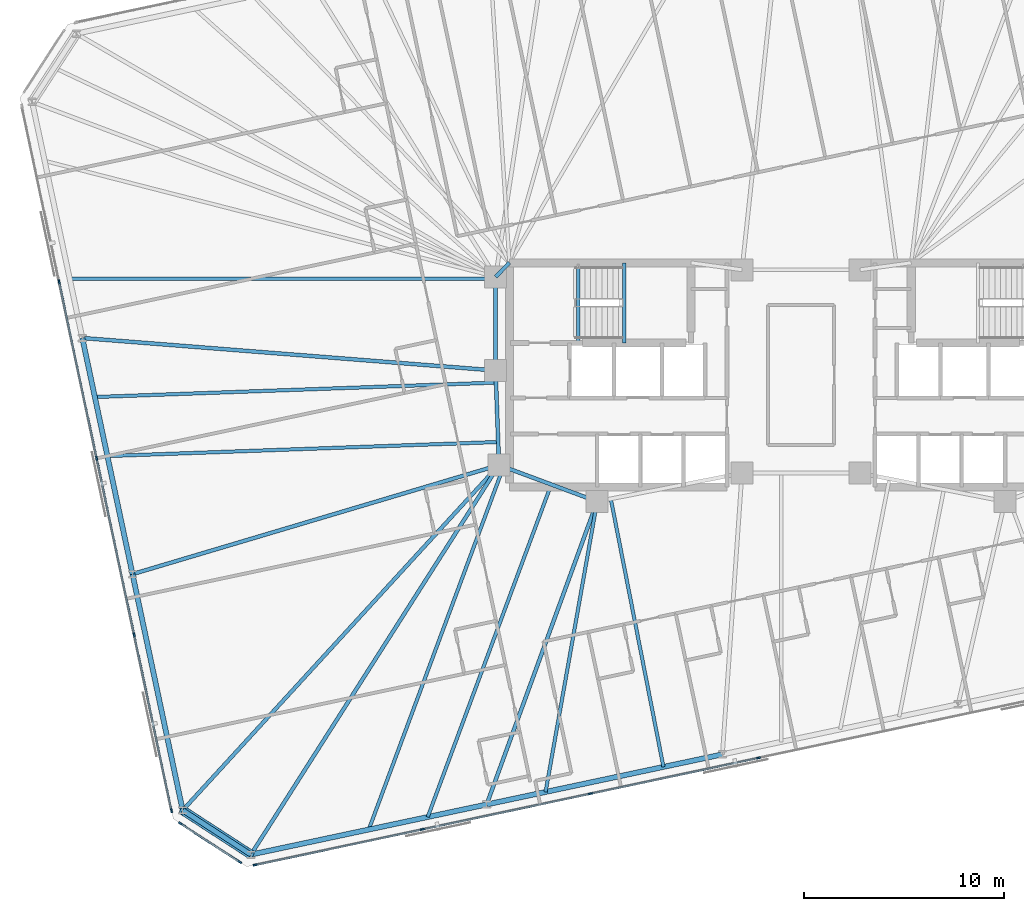
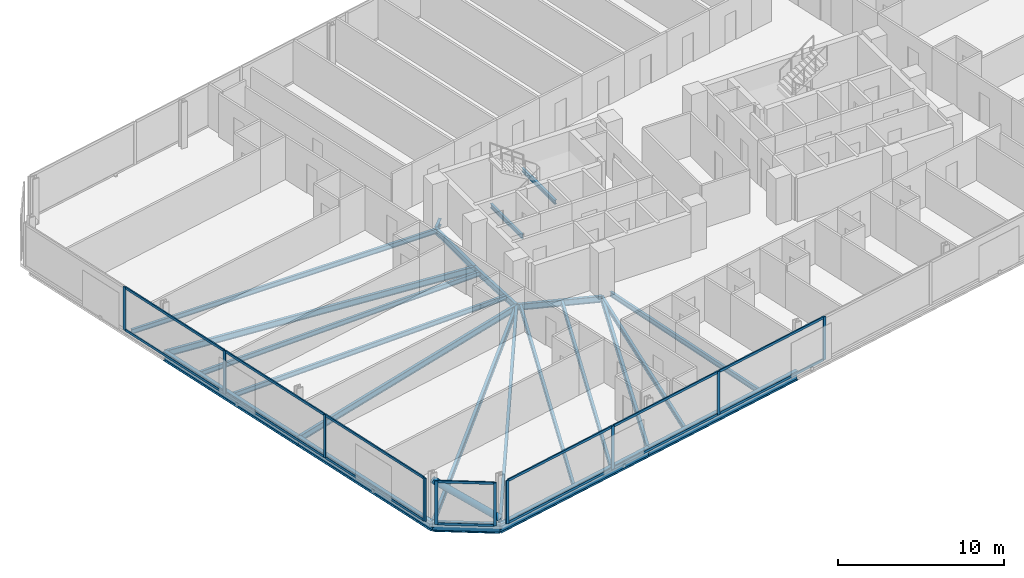
# One storey, part 6 of 21: 25 members, 23 beams, 3 elements without a shape of their own.
"""IFC4 building model written with IfcOpenShell, lengths in metres."""

from ifc_helpers import new_model, si_unit, direction, frame, origin, origin_2d, place, context, subcontext, project, spatial, rectangle, hollow_circle, i_section, extrude, material, material_profile, profile_set, type_object, element, aggregate, save


model = new_model("IFC4")

# Units and contexts
model_context = context("Model", 3, precision=1e-05, world=origin(), true_north=direction((0.0, 1.0)))
body_context = subcontext(model_context, "Body", "Model", "MODEL_VIEW")
ifc_project = project(units=[si_unit("LENGTHUNIT", "METRE"), si_unit("AREAUNIT", "SQUARE_METRE"), si_unit("VOLUMEUNIT", "CUBIC_METRE"), si_unit("PLANEANGLEUNIT", "RADIAN"), si_unit("MASSUNIT", "GRAM", prefix="KILO")], contexts=[model_context])

# Site, building, storey
site_placement = place(None, origin())
site = spatial("IfcSite", under=ifc_project, at=site_placement, CompositionType="ELEMENT")
building_placement = place(site_placement, origin())
building = spatial("IfcBuilding", under=site, at=building_placement, Name="Menara Jurai Vektor", CompositionType="ELEMENT")
storey_placement = place(building_placement, frame((0.0, 0.0, 168.39990234375)))
storey = spatial("IfcBuildingStorey", under=building, at=storey_placement, Name="L43", CompositionType="ELEMENT", Elevation=168.39990234375)

# Curtain wall, members
ifc_material_1 = material(Name="Anodised Pale Aluminium & Low-E Double Glazing", Category="aluminium")
curtain_wall_type = type_object("IfcCurtainWallType", Name="CW-BLK3", PredefinedType="NOTDEFINED", material=ifc_material_1)
curtain_wall_1_placement = place(storey_placement, origin())
curtain_wall_1 = element("IfcCurtainWall", 1, at=curtain_wall_1_placement, inside=storey, type_object=curtain_wall_type, Name="Unitised Curtain Wall L43 F01", PredefinedType="NOTDEFINED")
ifc_material_2 = material(Name="Anodised Pale Aluminium Mullion", Category="aluminium")
ifc_material_profile_1 = material_profile(ifc_material_2, rectangle(XDim=0.0849609375, YDim=0.205078125, at=origin_2d()), Name="ALU MUL 85x205")
ifc_profile_set_1 = profile_set([ifc_material_profile_1], Name="Anodised Pale Aluminium Mullion")
member_type_1 = type_object("IfcMemberType", Name="CW-BLK3-MUL", PredefinedType="MULLION", material=ifc_profile_set_1)
member_1_placement = place(storey_placement, frame((-27.25244140625, -24.462890625, 0.0), z_axis=(0.0, 0.0, 1.0), x_axis=(-0.207911344156, 0.978147674419, 0.0)))
member_1 = element("IfcMember", 2, at=member_1_placement, type_object=member_type_1, Name="CW-03 mullion 1", PredefinedType="MULLION", context=body_context, shape_type="SweptSolid", body=[
    extrude(rectangle(XDim=0.0849609375, YDim=0.205078125, at=origin_2d()), origin(), (0.0, 0.0, 1.0), 3.175048828125),
])
member_2_placement = place(storey_placement, frame((-18.904296875, -22.6884765625, 0.0), z_axis=(0.0, 0.0, 1.0), x_axis=(-0.207911344156, 0.978147674419, 0.0)))
member_2 = element("IfcMember", 3, at=member_2_placement, type_object=member_type_1, Name="CW-03 mullion 2", PredefinedType="MULLION", context=body_context, shape_type="SweptSolid", body=[
    extrude(rectangle(XDim=0.0849609375, YDim=0.205078125, at=origin_2d()), origin(), (0.0, 0.0, 1.0), 3.175048828125),
])
member_3_placement = place(storey_placement, frame((-10.514404296875, -20.905029296875, 0.0), z_axis=(0.0, 0.0, 1.0), x_axis=(-0.207911344156, 0.978147674419, 0.0)))
member_3 = element("IfcMember", 4, at=member_3_placement, type_object=member_type_1, Name="CW-03 mullion 3", PredefinedType="MULLION", context=body_context, shape_type="SweptSolid", body=[
    extrude(rectangle(XDim=0.0849609375, YDim=0.205078125, at=origin_2d()), origin(), (0.0, 0.0, 1.0), 3.175048828125),
])
member_4_placement = place(storey_placement, frame((-2.124755859375, -19.121826171875, 0.0), z_axis=(0.0, 0.0, 1.0), x_axis=(-0.207911344156, 0.978147674419, 0.0)))
member_4 = element("IfcMember", 5, at=member_4_placement, type_object=member_type_1, Name="CW-03 mullion 4", PredefinedType="MULLION", context=body_context, shape_type="SweptSolid", body=[
    extrude(rectangle(XDim=0.0849609375, YDim=0.205078125, at=origin_2d()), origin(), (0.0, 0.0, 1.0), 3.175048828125),
])

curtain_wall_2_placement = place(storey_placement, origin())
curtain_wall_2 = element("IfcCurtainWall", 6, at=curtain_wall_2_placement, inside=storey, type_object=curtain_wall_type, Name="Unitised Curtain Wall L43 F07", PredefinedType="NOTDEFINED")
member_5_placement = place(storey_placement, frame((-37.041259765625, 4.648193359375, 0.0), z_axis=(0.0, 0.0, 1.0), x_axis=(0.978147883949, 0.20791035839, 0.0)))
member_5 = element("IfcMember", 7, at=member_5_placement, type_object=member_type_1, Name="CW-03 mullion 2", PredefinedType="MULLION", context=body_context, shape_type="SweptSolid", body=[
    extrude(rectangle(XDim=0.0849609375, YDim=0.205078125, at=origin_2d()), origin(), (0.0, 0.0, 1.0), 3.175048828125),
])
member_6_placement = place(storey_placement, frame((-35.16796875, -4.1650390625, 0.0), z_axis=(0.0, 0.0, 1.0), x_axis=(0.978147883949, 0.20791035839, 0.0)))
member_6 = element("IfcMember", 8, at=member_6_placement, type_object=member_type_1, Name="CW-03 mullion 3", PredefinedType="MULLION", context=body_context, shape_type="SweptSolid", body=[
    extrude(rectangle(XDim=0.0849609375, YDim=0.205078125, at=origin_2d()), origin(), (0.0, 0.0, 1.0), 3.175048828125),
])
member_7_placement = place(storey_placement, frame((-33.294677734375, -12.978271484375, 0.0), z_axis=(0.0, 0.0, 1.0), x_axis=(0.978147883949, 0.20791035839, 0.0)))
member_7 = element("IfcMember", 9, at=member_7_placement, type_object=member_type_1, Name="CW-03 mullion 4", PredefinedType="MULLION", context=body_context, shape_type="SweptSolid", body=[
    extrude(rectangle(XDim=0.0849609375, YDim=0.205078125, at=origin_2d()), origin(), (0.0, 0.0, 1.0), 3.175048828125),
])
member_8_placement = place(storey_placement, frame((-31.43017578125, -21.749755859375, 0.0), z_axis=(0.0, 0.0, 1.0), x_axis=(0.978147883949, 0.20791035839, 0.0)))
member_8 = element("IfcMember", 10, at=member_8_placement, type_object=member_type_1, Name="CW-03 mullion 5", PredefinedType="MULLION", context=body_context, shape_type="SweptSolid", body=[
    extrude(rectangle(XDim=0.0849609375, YDim=0.205078125, at=origin_2d()), origin(), (0.0, 0.0, 1.0), 3.175048828125),
])

curtain_wall_3_placement = place(storey_placement, origin())
curtain_wall_3 = element("IfcCurtainWall", 11, at=curtain_wall_3_placement, inside=storey, type_object=curtain_wall_type, Name="Unitised Curtain Wall L43 F08", PredefinedType="NOTDEFINED")
member_9_placement = place(storey_placement, frame((-30.988037109375, -22.39306640625, 0.0), z_axis=(0.0, 0.0, 1.0), x_axis=(0.544617794346, 0.838684361415, 0.0)))
member_9 = element("IfcMember", 12, at=member_9_placement, type_object=member_type_1, Name="CW-03 mullion 1", PredefinedType="MULLION", context=body_context, shape_type="SweptSolid", body=[
    extrude(rectangle(XDim=0.0849609375, YDim=0.205078125, at=origin_2d()), origin(), (0.0, 0.0, 1.0), 3.175048828125),
])
member_10_placement = place(storey_placement, frame((-28.02001953125, -24.320556640625, 0.0), z_axis=(0.0, 0.0, 1.0), x_axis=(0.544617794346, 0.838684361415, 0.0)))
member_10 = element("IfcMember", 13, at=member_10_placement, type_object=member_type_1, Name="CW-03 mullion 2", PredefinedType="MULLION", context=body_context, shape_type="SweptSolid", body=[
    extrude(rectangle(XDim=0.0849609375, YDim=0.205078125, at=origin_2d()), origin(), (0.0, 0.0, 1.0), 3.175048828125),
])

# Member
ifc_material_3 = material(Name="Anodised Pale Aluminium Transom", Category="aluminium")
ifc_material_profile_2 = material_profile(ifc_material_3, rectangle(XDim=0.0849609375, YDim=0.175048828125, at=origin_2d()), Name="ALU TRN 85x175")
ifc_profile_set_2 = profile_set([ifc_material_profile_2], Name="Anodised Pale Aluminium Transom")
member_type_2 = type_object("IfcMemberType", Name="CW-BLK3-TRN", PredefinedType="USERDEFINED", material=ifc_profile_set_2)
member_11_placement = place(storey_placement, frame((-27.210693359375, -24.4541015625, 0.04248046875), z_axis=(0.978145704369, 0.207920612313, 0.0), x_axis=(-0.207920612313, 0.978145704369, 0.0)))
member_11 = element("IfcMember", 14, at=member_11_placement, type_object=member_type_2, Name="CW-03 transom 1.1", ObjectType="TRANSOM", PredefinedType="USERDEFINED", context=body_context, shape_type="SweptSolid", body=[
    extrude(rectangle(XDim=0.0849609375, YDim=0.175048828125, at=origin_2d()), origin(), (0.0, 0.0, 1.0), 8.449462890625),
])

member_12_placement = place(storey_placement, frame((-27.210693359375, -24.4541015625, 3.132568359375), z_axis=(0.978145704369, 0.207920612313, 0.0), x_axis=(-0.207920612313, 0.978145704369, 0.0)))
member_12 = element("IfcMember", 15, at=member_12_placement, type_object=member_type_2, Name="CW-03 transom 1.2", ObjectType="TRANSOM", PredefinedType="USERDEFINED", context=body_context, shape_type="SweptSolid", body=[
    extrude(rectangle(XDim=0.0849609375, YDim=0.175048828125, at=origin_2d()), origin(), (0.0, 0.0, 1.0), 8.449462890625),
])

member_13_placement = place(storey_placement, frame((-18.862548828125, -22.6796875, 0.04248046875), z_axis=(0.978146500933, 0.207916864907, 0.0), x_axis=(-0.207916864907, 0.978146500933, 0.0)))
member_13 = element("IfcMember", 16, at=member_13_placement, type_object=member_type_2, Name="CW-03 transom 2.1", ObjectType="TRANSOM", PredefinedType="USERDEFINED", context=body_context, shape_type="SweptSolid", body=[
    extrude(rectangle(XDim=0.0849609375, YDim=0.175048828125, at=origin_2d()), origin(), (0.0, 0.0, 1.0), 8.491943359375),
])

member_14_placement = place(storey_placement, frame((-18.862548828125, -22.6796875, 3.132568359375), z_axis=(0.978146500933, 0.207916864907, 0.0), x_axis=(-0.207916864907, 0.978146500933, 0.0)))
member_14 = element("IfcMember", 17, at=member_14_placement, type_object=member_type_2, Name="CW-03 transom 2.2", ObjectType="TRANSOM", PredefinedType="USERDEFINED", context=body_context, shape_type="SweptSolid", body=[
    extrude(rectangle(XDim=0.0849609375, YDim=0.175048828125, at=origin_2d()), origin(), (0.0, 0.0, 1.0), 8.491943359375),
])

member_15_placement = place(storey_placement, frame((-10.472900390625, -20.896240234375, 0.04248046875), z_axis=(0.978147743708, 0.207911018178, 0.0), x_axis=(-0.207911018178, 0.978147743708, 0.0)))
member_15 = element("IfcMember", 18, at=member_15_placement, type_object=member_type_2, Name="CW-03 transom 3.1", ObjectType="TRANSOM", PredefinedType="USERDEFINED", context=body_context, shape_type="SweptSolid", body=[
    extrude(rectangle(XDim=0.0849609375, YDim=0.175048828125, at=origin_2d()), origin(), (0.0, 0.0, 1.0), 8.4921875),
])

member_16_placement = place(storey_placement, frame((-10.472900390625, -20.896240234375, 3.132568359375), z_axis=(0.978147743708, 0.207911018178, 0.0), x_axis=(-0.207911018178, 0.978147743708, 0.0)))
member_16 = element("IfcMember", 19, at=member_16_placement, type_object=member_type_2, Name="CW-03 transom 3.2", ObjectType="TRANSOM", PredefinedType="USERDEFINED", context=body_context, shape_type="SweptSolid", body=[
    extrude(rectangle(XDim=0.0849609375, YDim=0.175048828125, at=origin_2d()), origin(), (0.0, 0.0, 1.0), 8.4921875),
])

aggregate(curtain_wall_1, [member_1, member_2, member_3, member_4, member_11, member_12, member_13, member_14, member_15, member_16])

member_17_placement = place(storey_placement, frame((-37.032470703125, 4.6064453125, 0.04248046875), z_axis=(0.207922224243, -0.978145361726, 0.0), x_axis=(0.978145361726, 0.207922224243, 0.0)))
member_17 = element("IfcMember", 20, at=member_17_placement, type_object=member_type_2, Name="CW-03 transom 2.1", ObjectType="TRANSOM", PredefinedType="USERDEFINED", context=body_context, shape_type="SweptSolid", body=[
    extrude(rectangle(XDim=0.0849609375, YDim=0.175048828125, at=origin_2d()), origin(), (0.0, 0.0, 1.0), 8.925048828125),
])

member_18_placement = place(storey_placement, frame((-37.032470703125, 4.6064453125, 3.132568359375), z_axis=(0.207922224243, -0.978145361726, 0.0), x_axis=(0.978145361726, 0.207922224243, 0.0)))
member_18 = element("IfcMember", 21, at=member_18_placement, type_object=member_type_2, Name="CW-03 transom 2.2", ObjectType="TRANSOM", PredefinedType="USERDEFINED", context=body_context, shape_type="SweptSolid", body=[
    extrude(rectangle(XDim=0.0849609375, YDim=0.175048828125, at=origin_2d()), origin(), (0.0, 0.0, 1.0), 8.925048828125),
])

member_19_placement = place(storey_placement, frame((-35.1591796875, -4.20654296875, 0.04248046875), z_axis=(0.207922224243, -0.978145361726, 0.0), x_axis=(0.978145361726, 0.207922224243, 0.0)))
member_19 = element("IfcMember", 22, at=member_19_placement, type_object=member_type_2, Name="CW-03 transom 3.1", ObjectType="TRANSOM", PredefinedType="USERDEFINED", context=body_context, shape_type="SweptSolid", body=[
    extrude(rectangle(XDim=0.0849609375, YDim=0.175048828125, at=origin_2d()), origin(), (0.0, 0.0, 1.0), 8.925048828125),
])

member_20_placement = place(storey_placement, frame((-35.1591796875, -4.20654296875, 3.132568359375), z_axis=(0.207922224243, -0.978145361726, 0.0), x_axis=(0.978145361726, 0.207922224243, 0.0)))
member_20 = element("IfcMember", 23, at=member_20_placement, type_object=member_type_2, Name="CW-03 transom 3.2", ObjectType="TRANSOM", PredefinedType="USERDEFINED", context=body_context, shape_type="SweptSolid", body=[
    extrude(rectangle(XDim=0.0849609375, YDim=0.175048828125, at=origin_2d()), origin(), (0.0, 0.0, 1.0), 8.925048828125),
])

member_21_placement = place(storey_placement, frame((-33.285888671875, -13.019775390625, 0.04248046875), z_axis=(0.207925814542, -0.978144598537, 0.0), x_axis=(0.978144598537, 0.207925814542, 0.0)))
member_21 = element("IfcMember", 24, at=member_21_placement, type_object=member_type_2, Name="CW-03 transom 4.1", ObjectType="TRANSOM", PredefinedType="USERDEFINED", context=body_context, shape_type="SweptSolid", body=[
    extrude(rectangle(XDim=0.0849609375, YDim=0.175048828125, at=origin_2d()), origin(), (0.0, 0.0, 1.0), 8.882568359375),
])

member_22_placement = place(storey_placement, frame((-33.285888671875, -13.019775390625, 3.132568359375), z_axis=(0.207925814542, -0.978144598537, 0.0), x_axis=(0.978144598537, 0.207925814542, 0.0)))
member_22 = element("IfcMember", 25, at=member_22_placement, type_object=member_type_2, Name="CW-03 transom 4.2", ObjectType="TRANSOM", PredefinedType="USERDEFINED", context=body_context, shape_type="SweptSolid", body=[
    extrude(rectangle(XDim=0.0849609375, YDim=0.175048828125, at=origin_2d()), origin(), (0.0, 0.0, 1.0), 8.882568359375),
])

aggregate(curtain_wall_2, [member_5, member_6, member_7, member_8, member_17, member_18, member_19, member_20, member_21, member_22])

member_23_placement = place(storey_placement, frame((-30.952392578125, -22.416259765625, 0.04248046875), z_axis=(0.83867770631, -0.54462804274, 0.0), x_axis=(0.54462804274, 0.83867770631, 0.0)))
member_23 = element("IfcMember", 26, at=member_23_placement, type_object=member_type_2, Name="CW-03 transom 1.1", ObjectType="TRANSOM", PredefinedType="USERDEFINED", context=body_context, shape_type="SweptSolid", body=[
    extrude(rectangle(XDim=0.0849609375, YDim=0.175048828125, at=origin_2d()), origin(), (0.0, 0.0, 1.0), 3.453857421875),
])

member_24_placement = place(storey_placement, frame((-30.952392578125, -22.416259765625, 3.132568359375), z_axis=(0.83867770631, -0.54462804274, 0.0), x_axis=(0.54462804274, 0.83867770631, 0.0)))
member_24 = element("IfcMember", 27, at=member_24_placement, type_object=member_type_2, Name="CW-03 transom 1.2", ObjectType="TRANSOM", PredefinedType="USERDEFINED", context=body_context, shape_type="SweptSolid", body=[
    extrude(rectangle(XDim=0.0849609375, YDim=0.175048828125, at=origin_2d()), origin(), (0.0, 0.0, 1.0), 3.453857421875),
])

aggregate(curtain_wall_3, [member_9, member_10, member_23, member_24])

# Beams
ifc_material_4 = material(Name="Steel S355", Category="steel")
ifc_material_profile_3 = material_profile(ifc_material_4, i_section(OverallWidth=0.19091796875, OverallDepth=0.4599609375, WebThickness=0.010009765625, FlangeThickness=0.01611328125, FilletRadius=0.010009765625, at=origin_2d()), Name="UKB 457x191x82")
ifc_profile_set_3 = profile_set([ifc_material_profile_3], Name="Steel S355")
beam_type_1 = type_object("IfcBeamType", Name="STR-BM-457", PredefinedType="BEAM", material=ifc_profile_set_3)
beam_1_placement = place(storey_placement, frame((-15.25, 4.89990234375, -0.454833984375), z_axis=(0.701871936926, 0.712303154672, 0.0), x_axis=(-0.712303154672, 0.701871936926, 0.0)))
element("IfcBeam", 28, at=beam_1_placement, inside=storey, type_object=beam_type_1, Name="Core Ring Header Girder L43-CHW-N1", PredefinedType="BEAM", context=body_context, shape_type="SweptSolid", body=[
    extrude(i_section(OverallWidth=0.19091796875, OverallDepth=0.4599609375, WebThickness=0.010009765625, FlangeThickness=0.01611328125, FilletRadius=0.010009765625, at=origin_2d()), origin(), (0.0, 0.0, 1.0), 0.98291015625),
])
beam_2_placement = place(storey_placement, frame((-15.25, 0.219970703125, -0.454833984375), z_axis=(0.0, 1.0, 0.0), x_axis=(-1.0, 0.0, 0.0)))
element("IfcBeam", 29, at=beam_2_placement, inside=storey, type_object=beam_type_1, Name="Core Ring Header Girder L43-CHW-W1", PredefinedType="BEAM", context=body_context, shape_type="SweptSolid", body=[
    extrude(i_section(OverallWidth=0.19091796875, OverallDepth=0.4599609375, WebThickness=0.010009765625, FlangeThickness=0.01611328125, FilletRadius=0.010009765625, at=origin_2d()), origin(), (0.0, 0.0, 1.0), 4.679931640625),
])
beam_3_placement = place(storey_placement, frame((-15.080078125, -4.5, -0.454833984375), z_axis=(-0.035977314146, 0.999352606874, 0.0), x_axis=(-0.999352606874, -0.035977314146, 0.0)))
element("IfcBeam", 30, at=beam_3_placement, inside=storey, type_object=beam_type_1, Name="Core Ring Header Girder L43-CHW-W2", PredefinedType="BEAM", context=body_context, shape_type="SweptSolid", body=[
    extrude(i_section(OverallWidth=0.19091796875, OverallDepth=0.4599609375, WebThickness=0.010009765625, FlangeThickness=0.01611328125, FilletRadius=0.010009765625, at=origin_2d()), origin(), (0.0, 0.0, 1.0), 4.72314453125),
])
beam_4_placement = place(storey_placement, frame((-15.080078125, -4.5, -0.454833984375), z_axis=(0.937424400887, -0.348188874925, 0.0), x_axis=(0.348188874925, 0.937424400887, 0.0)))
element("IfcBeam", 31, at=beam_4_placement, inside=storey, type_object=beam_type_1, Name="Core Ring Header Girder L43-CHW-S1", PredefinedType="BEAM", context=body_context, shape_type="SweptSolid", body=[
    extrude(i_section(OverallWidth=0.19091796875, OverallDepth=0.4599609375, WebThickness=0.010009765625, FlangeThickness=0.01611328125, FilletRadius=0.010009765625, at=origin_2d()), origin(), (0.0, 0.0, 1.0), 5.227294921875),
])
beam_5_placement = place(storey_placement, frame((-27.46484375, -23.94580078125, -0.454833984375), z_axis=(0.537189280991, 0.843461721946, 0.0), x_axis=(-0.843461721946, 0.537189280991, 0.0)))
element("IfcBeam", 32, at=beam_5_placement, inside=storey, type_object=beam_type_1, Name="Radial Floor Girder L43-S1", PredefinedType="BEAM", context=body_context, shape_type="SweptSolid", body=[
    extrude(i_section(OverallWidth=0.19091796875, OverallDepth=0.4599609375, WebThickness=0.010009765625, FlangeThickness=0.01611328125, FilletRadius=0.010009765625, at=origin_2d()), origin(), (0.0, 0.0, 1.0), 23.0546875),
])
beam_6_placement = place(storey_placement, frame((-15.696533203125, -21.4443359375, -0.454833984375), z_axis=(0.342668294367, 0.939456459893, 0.0), x_axis=(-0.939456459893, 0.342668294367, 0.0)))
element("IfcBeam", 33, at=beam_6_placement, inside=storey, type_object=beam_type_1, Name="Radial Floor Girder L43-S2", PredefinedType="BEAM", context=body_context, shape_type="SweptSolid", body=[
    extrude(i_section(OverallWidth=0.19091796875, OverallDepth=0.4599609375, WebThickness=0.010009765625, FlangeThickness=0.01611328125, FilletRadius=0.010009765625, at=origin_2d()), origin(), (0.0, 0.0, 1.0), 16.098876953125),
])
beam_7_placement = place(storey_placement, frame((-35.8828125, 1.843505859375, -0.454833984375), z_axis=(0.996918476483, -0.078444574364, 0.0), x_axis=(0.078444574364, 0.996918476483, 0.0)))
element("IfcBeam", 34, at=beam_7_placement, inside=storey, type_object=beam_type_1, Name="Radial Floor Girder L43-W2", PredefinedType="BEAM", context=body_context, shape_type="SweptSolid", body=[
    extrude(i_section(OverallWidth=0.19091796875, OverallDepth=0.4599609375, WebThickness=0.010009765625, FlangeThickness=0.01611328125, FilletRadius=0.010009765625, at=origin_2d()), origin(), (0.0, 0.0, 1.0), 20.696533203125),
])
beam_8_placement = place(storey_placement, frame((-33.377197265625, -9.94482421875, -0.454833984375), z_axis=(0.958462775407, 0.285217650505, 0.0), x_axis=(-0.285217650505, 0.958462775407, 0.0)))
element("IfcBeam", 35, at=beam_8_placement, inside=storey, type_object=beam_type_1, Name="Radial Floor Girder L43-W3", PredefinedType="BEAM", context=body_context, shape_type="SweptSolid", body=[
    extrude(i_section(OverallWidth=0.19091796875, OverallDepth=0.4599609375, WebThickness=0.010009765625, FlangeThickness=0.01611328125, FilletRadius=0.010009765625, at=origin_2d()), origin(), (0.0, 0.0, 1.0), 19.090087890625),
])
beam_9_placement = place(storey_placement, frame((-30.871337890625, -21.7333984375, -0.454833984375), z_axis=(0.675584615662, 0.737282460852, 0.0), x_axis=(-0.737282460852, 0.675584615662, 0.0)))
element("IfcBeam", 36, at=beam_9_placement, inside=storey, type_object=beam_type_1, Name="Radial Floor Girder L43-W4", PredefinedType="BEAM", context=body_context, shape_type="SweptSolid", body=[
    extrude(i_section(OverallWidth=0.19091796875, OverallDepth=0.4599609375, WebThickness=0.010009765625, FlangeThickness=0.01611328125, FilletRadius=0.010009765625, at=origin_2d()), origin(), (0.0, 0.0, 1.0), 23.374267578125),
])

# Member
ifc_material_5 = material(Name="Steel S460", Category="steel")
ifc_material_profile_4 = material_profile(ifc_material_5, hollow_circle(Radius=0.228515625, WallThickness=0.01611328125, at=origin_2d()), Name="CHS 457x16")
ifc_profile_set_4 = profile_set([ifc_material_profile_4], Name="Steel S460")
member_type_3 = type_object("IfcMemberType", Name="STR-BR-457", PredefinedType="BRACE", material=ifc_profile_set_4)
member_25_placement = place(storey_placement, frame((-27.46484375, -23.94580078125, 0.150146484375), z_axis=(-0.700402825662, 0.454887866849, 0.5500117366), x_axis=(-0.544673525608, -0.838648168484, 0.0)))
element("IfcMember", 37, at=member_25_placement, inside=storey, type_object=member_type_3, Name="Exoskeleton Corner Brace L43-4", PredefinedType="BRACE", context=body_context, shape_type="SweptSolid", body=[
    extrude(hollow_circle(Radius=0.228515625, WallThickness=0.01611328125, at=origin_2d()), origin(), (0.0, 0.0, 1.0), 4.863525390625),
])

# Beams
ifc_material_profile_5 = material_profile(ifc_material_4, i_section(OverallWidth=0.172119140625, OverallDepth=0.35498046875, WebThickness=0.007080078125, FlangeThickness=0.011962890625, FilletRadius=0.010009765625, at=origin_2d()), Name="UKB 356x171x51")
ifc_profile_set_5 = profile_set([ifc_material_profile_5], Name="Steel S355")
beam_type_2 = type_object("IfcBeamType", Name="STR-JS-356", PredefinedType="JOIST", material=ifc_profile_set_5)
beam_10_placement = place(storey_placement, frame((-21.580810546875, -22.695068359375, -0.40234375), z_axis=(0.348190019635, 0.937423975705, 0.0), x_axis=(-0.937423975705, 0.348190019635, 0.0)))
element("IfcBeam", 38, at=beam_10_placement, inside=storey, type_object=beam_type_2, Name="Radial Secondary Floor Joist L43-JS01", PredefinedType="JOIST", context=body_context, shape_type="SweptSolid", body=[
    extrude(i_section(OverallWidth=0.172119140625, OverallDepth=0.35498046875, WebThickness=0.007080078125, FlangeThickness=0.011962890625, FilletRadius=0.010009765625, at=origin_2d()), origin(), (0.0, 0.0, 1.0), 19.320068359375),
])
beam_11_placement = place(storey_placement, frame((-18.638671875, -22.069580078125, -0.40234375), z_axis=(0.348193798412, 0.937422572135, 0.0), x_axis=(-0.937422572135, 0.348193798412, 0.0)))
element("IfcBeam", 39, at=beam_11_placement, inside=storey, type_object=beam_type_2, Name="Radial Secondary Floor Joist L43-JS02", PredefinedType="JOIST", context=body_context, shape_type="SweptSolid", body=[
    extrude(i_section(OverallWidth=0.172119140625, OverallDepth=0.35498046875, WebThickness=0.007080078125, FlangeThickness=0.011962890625, FilletRadius=0.010009765625, at=origin_2d()), origin(), (0.0, 0.0, 1.0), 17.709228515625),
])
beam_12_placement = place(storey_placement, frame((-12.75439453125, -20.819091796875, -0.40234375), z_axis=(0.174826548521, 0.984599247375, 0.0), x_axis=(-0.984599247375, 0.174826548521, 0.0)))
element("IfcBeam", 40, at=beam_12_placement, inside=storey, type_object=beam_type_2, Name="Radial Secondary Floor Joist L43-JS03", PredefinedType="JOIST", context=body_context, shape_type="SweptSolid", body=[
    extrude(i_section(OverallWidth=0.172119140625, OverallDepth=0.35498046875, WebThickness=0.007080078125, FlangeThickness=0.011962890625, FilletRadius=0.010009765625, at=origin_2d()), origin(), (0.0, 0.0, 1.0), 14.725830078125),
])
beam_13_placement = place(storey_placement, frame((-6.870361328125, -19.568359375, -0.40234375), z_axis=(-0.19273083746, 0.981251662058, 0.0), x_axis=(-0.981251662058, -0.19273083746, 0.0)))
element("IfcBeam", 41, at=beam_13_placement, inside=storey, type_object=beam_type_2, Name="Radial Secondary Floor Joist L43-JS04", PredefinedType="JOIST", context=body_context, shape_type="SweptSolid", body=[
    extrude(i_section(OverallWidth=0.172119140625, OverallDepth=0.35498046875, WebThickness=0.007080078125, FlangeThickness=0.011962890625, FilletRadius=0.010009765625, at=origin_2d()), origin(), (0.0, 0.0, 1.0), 13.6376953125),
])
beam_14_placement = place(storey_placement, frame((-36.50927734375, 4.790771484375, -0.40234375), z_axis=(1.0, 0.0, 0.0), x_axis=(0.0, 1.0, 0.0)))
element("IfcBeam", 42, at=beam_14_placement, inside=storey, type_object=beam_type_2, Name="Radial Secondary Floor Joist L43-JS30", PredefinedType="JOIST", context=body_context, shape_type="SweptSolid", body=[
    extrude(i_section(OverallWidth=0.172119140625, OverallDepth=0.35498046875, WebThickness=0.007080078125, FlangeThickness=0.011962890625, FilletRadius=0.010009765625, at=origin_2d()), origin(), (0.0, 0.0, 1.0), 21.25927734375),
])
beam_15_placement = place(storey_placement, frame((-35.25634765625, -1.103515625, -0.40234375), z_axis=(0.999351866858, 0.035997863919, 0.0), x_axis=(-0.035997863919, 0.999351866858, 0.0)))
element("IfcBeam", 43, at=beam_15_placement, inside=storey, type_object=beam_type_2, Name="Radial Secondary Floor Joist L43-JS31", PredefinedType="JOIST", context=body_context, shape_type="SweptSolid", body=[
    extrude(i_section(OverallWidth=0.172119140625, OverallDepth=0.35498046875, WebThickness=0.007080078125, FlangeThickness=0.011962890625, FilletRadius=0.010009765625, at=origin_2d()), origin(), (0.0, 0.0, 1.0), 20.041015625),
])
beam_16_placement = place(storey_placement, frame((-34.6298828125, -4.05078125, -0.40234375), z_axis=(0.999352006705, 0.035993981369, 0.0), x_axis=(-0.035993981369, 0.999352006705, 0.0)))
element("IfcBeam", 44, at=beam_16_placement, inside=storey, type_object=beam_type_2, Name="Radial Secondary Floor Joist L43-JS32", PredefinedType="JOIST", context=body_context, shape_type="SweptSolid", body=[
    extrude(i_section(OverallWidth=0.172119140625, OverallDepth=0.35498046875, WebThickness=0.007080078125, FlangeThickness=0.011962890625, FilletRadius=0.010009765625, at=origin_2d()), origin(), (0.0, 0.0, 1.0), 19.52099609375),
])
ifc_material_profile_6 = material_profile(ifc_material_4, i_section(OverallWidth=0.1650390625, OverallDepth=0.302978515625, WebThickness=0.006103515625, FlangeThickness=0.010009765625, FilletRadius=0.009033203125, at=origin_2d()), Name="UKB 305x165x40")
ifc_profile_set_6 = profile_set([ifc_material_profile_6], Name="Steel S355")
beam_type_3 = type_object("IfcBeamType", Name="STR-LN-305", PredefinedType="LINTEL", material=ifc_profile_set_6)
beam_17_placement = place(storey_placement, frame((-11.1201171875, 1.60009765625, -0.37646484375), z_axis=(0.0, 1.0, 0.0), x_axis=(-1.0, 0.0, 0.0)))
element("IfcBeam", 45, at=beam_17_placement, inside=storey, type_object=beam_type_3, Name="Stair Well Floor Trimmer ST1 L43", PredefinedType="LINTEL", context=body_context, shape_type="SweptSolid", body=[
    extrude(i_section(OverallWidth=0.1650390625, OverallDepth=0.302978515625, WebThickness=0.006103515625, FlangeThickness=0.010009765625, FilletRadius=0.009033203125, at=origin_2d()), origin(), (0.0, 0.0, 1.0), 3.81982421875),
])
beam_18_placement = place(storey_placement, frame((-8.830078125, 1.60009765625, 1.3486328125), z_axis=(0.0, 1.0, 0.0), x_axis=(-1.0, 0.0, 0.0)))
element("IfcBeam", 46, at=beam_18_placement, inside=storey, type_object=beam_type_3, Name="Stair Half-Landing Nosing Trimmer ST1-1 L43", PredefinedType="LINTEL", context=body_context, shape_type="SweptSolid", body=[
    extrude(i_section(OverallWidth=0.1650390625, OverallDepth=0.302978515625, WebThickness=0.006103515625, FlangeThickness=0.010009765625, FilletRadius=0.009033203125, at=origin_2d()), origin(), (0.0, 0.0, 1.0), 4.0),
])
ifc_material_profile_7 = material_profile(ifc_material_5, i_section(OverallWidth=0.256103515625, OverallDepth=0.693115234375, WebThickness=0.013916015625, FlangeThickness=0.02392578125, FilletRadius=0.014892578125, at=origin_2d()), Name="UKB 686x254x170")
ifc_profile_set_7 = profile_set([ifc_material_profile_7], Name="Steel S460")
beam_type_4 = type_object("IfcBeamType", Name="STR-SP-686", PredefinedType="SPANDREL", material=ifc_profile_set_7)
beam_19_placement = place(storey_placement, frame((-27.46484375, -23.94580078125, -0.5712890625), z_axis=(0.978147039247, 0.207914332389, 0.0), x_axis=(-0.207914332389, 0.978147039247, 0.0)))
element("IfcBeam", 47, at=beam_19_placement, inside=storey, type_object=beam_type_4, Name="Exoskeleton Spandrel Beam L43-01", PredefinedType="SPANDREL", context=body_context, shape_type="SweptSolid", body=[
    extrude(i_section(OverallWidth=0.256103515625, OverallDepth=0.693115234375, WebThickness=0.013916015625, FlangeThickness=0.02392578125, FilletRadius=0.014892578125, at=origin_2d()), origin(), (0.0, 0.0, 1.0), 12.03125),
])
beam_20_placement = place(storey_placement, frame((-15.696533203125, -21.4443359375, -0.5712890625), z_axis=(0.97814616202, 0.207918459318, 0.0), x_axis=(-0.207918459318, 0.97814616202, 0.0)))
element("IfcBeam", 48, at=beam_20_placement, inside=storey, type_object=beam_type_4, Name="Exoskeleton Spandrel Beam L43-02", PredefinedType="SPANDREL", context=body_context, shape_type="SweptSolid", body=[
    extrude(i_section(OverallWidth=0.256103515625, OverallDepth=0.693115234375, WebThickness=0.013916015625, FlangeThickness=0.02392578125, FilletRadius=0.014892578125, at=origin_2d()), origin(), (0.0, 0.0, 1.0), 12.031005859375),
])
beam_21_placement = place(storey_placement, frame((-35.8828125, 1.843505859375, -0.5712890625), z_axis=(0.207906000604, -0.978148810209, 0.0), x_axis=(0.978148810209, 0.207906000604, 0.0)))
element("IfcBeam", 49, at=beam_21_placement, inside=storey, type_object=beam_type_4, Name="Exoskeleton Spandrel Beam L43-18", PredefinedType="SPANDREL", context=body_context, shape_type="SweptSolid", body=[
    extrude(i_section(OverallWidth=0.256103515625, OverallDepth=0.693115234375, WebThickness=0.013916015625, FlangeThickness=0.02392578125, FilletRadius=0.014892578125, at=origin_2d()), origin(), (0.0, 0.0, 1.0), 12.0517578125),
])
beam_22_placement = place(storey_placement, frame((-33.377197265625, -9.94482421875, -0.5712890625), z_axis=(0.207921262698, -0.978145566119, 0.0), x_axis=(0.978145566119, 0.207921262698, 0.0)))
element("IfcBeam", 50, at=beam_22_placement, inside=storey, type_object=beam_type_4, Name="Exoskeleton Spandrel Beam L43-19", PredefinedType="SPANDREL", context=body_context, shape_type="SweptSolid", body=[
    extrude(i_section(OverallWidth=0.256103515625, OverallDepth=0.693115234375, WebThickness=0.013916015625, FlangeThickness=0.02392578125, FilletRadius=0.014892578125, at=origin_2d()), origin(), (0.0, 0.0, 1.0), 12.052001953125),
])
beam_23_placement = place(storey_placement, frame((-30.871337890625, -21.7333984375, -0.5712890625), z_axis=(0.838648168484, -0.544673525608, 0.0), x_axis=(0.544673525608, 0.838648168484, 0.0)))
element("IfcBeam", 51, at=beam_23_placement, inside=storey, type_object=beam_type_4, Name="Exoskeleton Spandrel Beam L43-20", PredefinedType="SPANDREL", context=body_context, shape_type="SweptSolid", body=[
    extrude(i_section(OverallWidth=0.256103515625, OverallDepth=0.693115234375, WebThickness=0.013916015625, FlangeThickness=0.02392578125, FilletRadius=0.014892578125, at=origin_2d()), origin(), (0.0, 0.0, 1.0), 4.061767578125),
])

save(model, "model.ifc")
